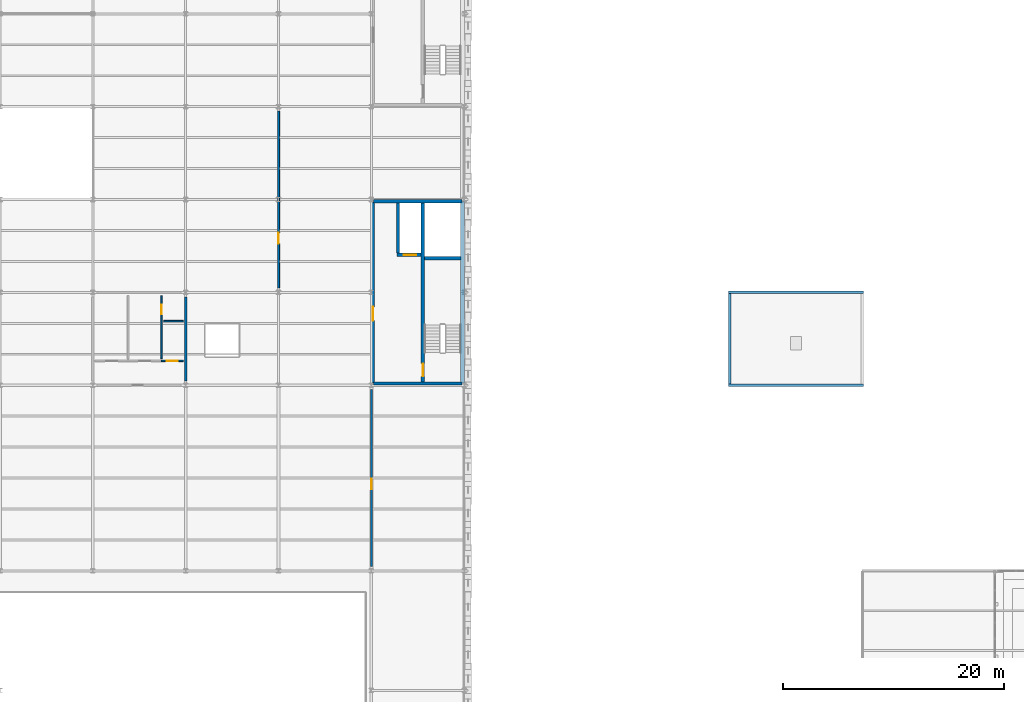
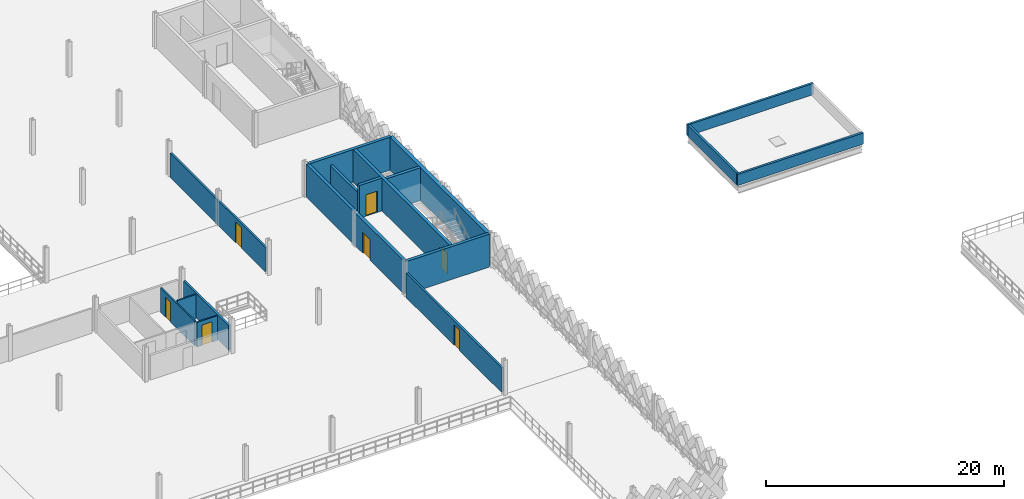
# One storey, part 50 of 62: 17 walls, 7 doors, 7 openings.
"""IFC4 building model written with IfcOpenShell, lengths in metres."""

from ifc_helpers import new_model, si_unit, direction, frame, frame_2d, origin, place, context, subcontext, project, spatial, rectangle, extrude, material, layer, layer_set, type_object, element, fill, save


model = new_model("IFC4")

# Units and contexts
model_context = context("Model", 3, precision=1e-05, world=origin(), true_north=direction((0.0, 1.0)))
body_context = subcontext(model_context, "Body", "Model", "MODEL_VIEW")
ifc_project = project(units=[si_unit("LENGTHUNIT", "METRE"), si_unit("AREAUNIT", "SQUARE_METRE"), si_unit("VOLUMEUNIT", "CUBIC_METRE"), si_unit("PLANEANGLEUNIT", "RADIAN"), si_unit("MASSUNIT", "GRAM", prefix="KILO"), si_unit("THERMODYNAMICTEMPERATUREUNIT", "KELVIN"), si_unit("POWERUNIT", "WATT")], contexts=[model_context])

# Site, building, storey
site_placement = place(None, origin())
site = spatial("IfcSite", under=ifc_project, at=site_placement, CompositionType="ELEMENT")
building_placement = place(site_placement, origin())
building = spatial("IfcBuilding", under=site, at=building_placement, Name="Tembeka Court Mobility Hub", CompositionType="ELEMENT")
storey_placement = place(building_placement, frame((0.0, 0.0, 16.199951171875)))
storey = spatial("IfcBuildingStorey", under=building, at=storey_placement, Name="L04", CompositionType="ELEMENT", Elevation=16.199951171875)

# Walls
ifc_material_1 = material(Name="Concrete C40/50", Category="concrete")
ifc_layer_1 = layer(ifc_material_1, 0.25)
ifc_layer_set_1 = layer_set([ifc_layer_1], Name="Concrete C40/50")
wall_type_1 = type_object("IfcWallType", Name="WL-IW01", PredefinedType="PARTITIONING", material=ifc_layer_set_1)
wall_1_placement = place(storey_placement, frame((86.39990234375, 50.35009765625, 0.0), z_axis=(0.0, 0.0, 1.0), x_axis=(0.0, 1.0, 0.0)))
element("IfcWall", 1, at=wall_1_placement, inside=storey, type_object=wall_type_1, Name="Wall IW01 (IW-L04-0232)", PredefinedType="PARTITIONING", context=body_context, shape_type="SweptSolid", body=[
    extrude(rectangle(XDim=4.5498046875, YDim=0.25, at=frame_2d((2.27490234375, 0.0))), origin(), (0.0, 0.0, 1.0), 2.525146484375),
])
ifc_material_2 = material(Name="Concrete blockwork masonry", Category="masonry")
ifc_layer_2 = layer(ifc_material_2, 0.199951171875)
ifc_layer_set_2 = layer_set([ifc_layer_2], Name="Concrete blockwork masonry")
wall_type_2 = type_object("IfcWallType", Name="WL-IW02", PredefinedType="PARTITIONING", material=ifc_layer_set_2)
wall_2_placement = place(storey_placement, frame((67.199951171875, 38.800048828125, 0.0), z_axis=(0.0, 0.0, 1.0), x_axis=(0.0, 1.0, 0.0)))
element("IfcWall", 2, at=wall_2_placement, inside=storey, type_object=wall_type_2, Name="Wall IW02 (IW-L04-0389)", PredefinedType="PARTITIONING", context=body_context, shape_type="SweptSolid", body=[
    extrude(rectangle(XDim=7.599853515625, YDim=0.199951171875, at=frame_2d((3.7998046875, 0.0))), origin(), (0.0, 0.0, 1.0), 2.525146484375),
])

# Wall, opening, door
wall_3_placement = place(storey_placement, frame((84.0, 22.0, 0.0), z_axis=(0.0, 0.0, 1.0), x_axis=(0.0, 1.0, 0.0)))
wall_3 = element("IfcWall", 3, at=wall_3_placement, inside=storey, type_object=wall_type_2, Name="Wall IW02 (IW-L04-0445)", PredefinedType="PARTITIONING", context=body_context, shape_type="SweptSolid", body=[
    extrude(rectangle(XDim=16.0, YDim=0.199951171875, at=frame_2d((8.0, 0.0))), origin(), (0.0, 0.0, 1.0), 2.525146484375),
])
opening_1_placement = place(wall_3_placement, frame((7.0, 0.0, 0.0)))
opening_1 = element("IfcOpeningElement", 4, at=opening_1_placement, cuts=wall_3, Name="Opening ID01", PredefinedType="OPENING", context=body_context, shape_type="SweptSolid", body=[
    extrude(rectangle(XDim=0.949951171875, YDim=2.10009765625, at=frame_2d((0.47509765625, 1.050048828125))), frame((0.0, 0.10986328125, 0.0), z_axis=(0.0, -1.0, 0.0), x_axis=(1.0, 0.0, 0.0)), (0.0, 0.0, 1.0), 0.219970703125),
])
ifc_material_3 = material(Name="Powder-coated aluminium glazed doorset", Category="aluminium")
door_type_1 = type_object("IfcDoorType", Name="DR-ID01", OperationType="NOTDEFINED", PredefinedType="DOOR", material=ifc_material_3)
door_1_placement = place(opening_1_placement, origin())
door_1 = element("IfcDoor", 5, at=door_1_placement, inside=storey, type_object=door_type_1, Name="Door ID01-0218", OperationType="SINGLE_SWING_LEFT", OverallHeight=2.10009765625, OverallWidth=0.949951171875, PredefinedType="DOOR", context=body_context, shape_type="SweptSolid", body=[
    extrude(rectangle(XDim=0.949951171875, YDim=2.10009765625, at=frame_2d((0.47509765625, 1.050048828125))), frame((0.0, 0.02490234375, 0.0), z_axis=(0.0, -1.0, 0.0), x_axis=(1.0, 0.0, 0.0)), (0.0, 0.0, 1.0), 0.050048828125),
])
fill(opening_1, door_1)

ifc_layer_3 = layer(ifc_material_2, 0.179931640625)
ifc_layer_set_3 = layer_set([ifc_layer_3], Name="Concrete blockwork masonry")
wall_type_3 = type_object("IfcWallType", Name="WL-IW03", PredefinedType="PARTITIONING", material=ifc_layer_set_3)
wall_4_placement = place(storey_placement, frame((75.60009765625, 47.199951171875, 0.0), z_axis=(0.0, 0.0, 1.0), x_axis=(0.0, 1.0, 0.0)))
wall_4 = element("IfcWall", 6, at=wall_4_placement, inside=storey, type_object=wall_type_3, Name="Wall IW03 (IW-L04-0447)", PredefinedType="PARTITIONING", context=body_context, shape_type="SweptSolid", body=[
    extrude(rectangle(XDim=16.0, YDim=0.179931640625, at=frame_2d((8.0, 0.0))), origin(), (0.0, 0.0, 1.0), 2.525146484375),
])
opening_2_placement = place(wall_4_placement, frame((4.0, 0.0, 0.0)))
opening_2 = element("IfcOpeningElement", 7, at=opening_2_placement, cuts=wall_4, Name="Opening FD05", PredefinedType="OPENING", context=body_context, shape_type="SweptSolid", body=[
    extrude(rectangle(XDim=1.0, YDim=2.14990234375, at=frame_2d((0.5, 1.074951171875))), frame((0.0, 0.10009765625, 0.0), z_axis=(0.0, -1.0, 0.0), x_axis=(1.0, 0.0, 0.0)), (0.0, 0.0, 1.0), 0.199951171875),
])
ifc_material_4 = material(Name="Galvanised steel fire/shutter doorset", Category="steel")
door_type_2 = type_object("IfcDoorType", Name="DR-FD05", OperationType="NOTDEFINED", PredefinedType="DOOR", material=ifc_material_4)
door_2_placement = place(opening_2_placement, origin())
door_2 = element("IfcDoor", 8, at=door_2_placement, inside=storey, type_object=door_type_2, Name="Door FD05-0220", OperationType="SINGLE_SWING_LEFT", OverallHeight=2.14990234375, OverallWidth=1.0, PredefinedType="DOOR", context=body_context, shape_type="SweptSolid", body=[
    extrude(rectangle(XDim=1.0, YDim=2.14990234375, at=frame_2d((0.5, 1.074951171875))), frame((0.0, 0.02490234375, 0.0), z_axis=(0.0, -1.0, 0.0), x_axis=(1.0, 0.0, 0.0)), (0.0, 0.0, 1.0), 0.050048828125),
])
fill(opening_2, door_2)

ifc_material_5 = material(Name="Moisture-resistant gypsum partition", Category="masonry")
ifc_layer_4 = layer(ifc_material_5, 0.139892578125)
ifc_layer_set_4 = layer_set([ifc_layer_4], Name="Moisture-resistant gypsum partition")
wall_type_4 = type_object("IfcWallType", Name="WL-IW05", PredefinedType="PARTITIONING", material=ifc_layer_set_4)
wall_5_placement = place(storey_placement, frame((65.0, 40.60009765625, 0.0), z_axis=(0.0, 0.0, 1.0), x_axis=(1.0, 0.0, 0.0)))
wall_5 = element("IfcWall", 9, at=wall_5_placement, inside=storey, type_object=wall_type_4, Name="Wall IW05 (IW-L04-0392)", PredefinedType="PARTITIONING", context=body_context, shape_type="SweptSolid", body=[
    extrude(rectangle(XDim=2.0, YDim=0.139892578125, at=frame_2d((1.0, 0.0))), origin(), (0.0, 0.0, 1.0), 2.525146484375),
])
opening_3_placement = place(wall_5_placement, frame((0.5, 0.0, 0.0)))
opening_3 = element("IfcOpeningElement", 10, at=opening_3_placement, cuts=wall_5, Name="Opening ID02", PredefinedType="OPENING", context=body_context, shape_type="SweptSolid", body=[
    extrude(rectangle(XDim=1.0, YDim=2.10009765625, at=frame_2d((0.5, 1.050048828125))), frame((0.0, 0.080078125, 0.0), z_axis=(0.0, -1.0, 0.0), x_axis=(1.0, 0.0, 0.0)), (0.0, 0.0, 1.0), 0.159912109375),
])
door_type_3 = type_object("IfcDoorType", Name="DR-ID02", OperationType="NOTDEFINED", PredefinedType="DOOR", material=ifc_material_3)
door_3_placement = place(opening_3_placement, origin())
door_3 = element("IfcDoor", 11, at=door_3_placement, inside=storey, type_object=door_type_3, Name="L04 accessible unisex WC door", OperationType="SINGLE_SWING_LEFT", OverallHeight=2.10009765625, OverallWidth=1.0, PredefinedType="DOOR", context=body_context, shape_type="SweptSolid", body=[
    extrude(rectangle(XDim=1.0, YDim=2.10009765625, at=frame_2d((0.5, 1.050048828125))), frame((0.0, 0.02490234375, 0.0), z_axis=(0.0, -1.0, 0.0), x_axis=(1.0, 0.0, 0.0)), (0.0, 0.0, 1.0), 0.050048828125),
])
fill(opening_3, door_3)

wall_6_placement = place(storey_placement, frame((65.0, 40.800048828125, 0.0), z_axis=(0.0, 0.0, 1.0), x_axis=(0.0, 1.0, 0.0)))
wall_6 = element("IfcWall", 12, at=wall_6_placement, inside=storey, type_object=wall_type_4, Name="Wall IW05 (IW-L04-0394)", PredefinedType="PARTITIONING", context=body_context, shape_type="SweptSolid", body=[
    extrude(rectangle(XDim=5.699951171875, YDim=0.139892578125, at=frame_2d((2.85009765625, 0.0))), origin(), (0.0, 0.0, 1.0), 2.525146484375),
])
opening_4_placement = place(wall_6_placement, frame((4.0, 0.0, 0.0)))
opening_4 = element("IfcOpeningElement", 13, at=opening_4_placement, cuts=wall_6, Name="Opening ID08", PredefinedType="OPENING", context=body_context, shape_type="SweptSolid", body=[
    extrude(rectangle(XDim=0.89990234375, YDim=2.050048828125, at=frame_2d((0.449951171875, 1.02490234375))), frame((0.0, 0.080078125, 0.0), z_axis=(0.0, -1.0, 0.0), x_axis=(1.0, 0.0, 0.0)), (0.0, 0.0, 1.0), 0.159912109375),
])
door_type_4 = type_object("IfcDoorType", Name="DR-ID08", OperationType="NOTDEFINED", PredefinedType="DOOR", material=ifc_material_3)
door_4_placement = place(opening_4_placement, origin())
door_4 = element("IfcDoor", 14, at=door_4_placement, inside=storey, type_object=door_type_4, Name="L04 cleaner cupboard door", OperationType="SINGLE_SWING_RIGHT", OverallHeight=2.050048828125, OverallWidth=0.89990234375, PredefinedType="DOOR", context=body_context, shape_type="SweptSolid", body=[
    extrude(rectangle(XDim=0.89990234375, YDim=2.050048828125, at=frame_2d((0.449951171875, 1.02490234375))), frame((0.0, 0.02490234375, 0.0), z_axis=(0.0, -1.0, 0.0), x_axis=(1.0, 0.0, 0.0)), (0.0, 0.0, 1.0), 0.050048828125),
])
fill(opening_4, door_4)

# Walls
wall_7_placement = place(storey_placement, frame((65.199951171875, 44.199951171875, 0.0), z_axis=(0.0, 0.0, 1.0), x_axis=(1.0, 0.0, 0.0)))
element("IfcWall", 15, at=wall_7_placement, inside=storey, type_object=wall_type_4, Name="Wall IW05 (IW-L04-0395)", PredefinedType="PARTITIONING", context=body_context, shape_type="SweptSolid", body=[
    extrude(rectangle(XDim=1.800048828125, YDim=0.139892578125, at=frame_2d((0.89990234375, 0.0))), origin(), (0.0, 0.0, 1.0), 2.525146484375),
])
ifc_material_6 = material(Name="Precast concrete C45/55", Category="concrete")
ifc_layer_5 = layer(ifc_material_6, 0.219970703125)
ifc_layer_set_5 = layer_set([ifc_layer_5], Name="Precast concrete C45/55")
wall_type_5 = type_object("IfcWallType", Name="WL-PP01", PredefinedType="PARAPET", material=ifc_layer_set_5)
for number, where, z_axis, x_axis, name in (
    (16, (116.2900390625, 38.39990234375, 0.0), (0.0, 0.0, 1.0), (1.0, 0.0, 0.0), "Roof parapet wall PP01-01"),
    (17, (128.510009765625, 46.800048828125, 0.0), (0.0, 0.0, 1.0), (-1.0, 0.0, 0.0), "Roof parapet wall PP01-03"),
):
    element("IfcWall", number, at=place(storey_placement, frame(where, z_axis=z_axis, x_axis=x_axis)), inside=storey, type_object=wall_type_5, Name=name, PredefinedType="PARAPET", context=body_context, shape_type="SweptSolid", body=[
        extrude(rectangle(XDim=12.219970703125, YDim=0.219970703125, at=frame_2d((6.10986328125, 0.0))), origin(), (0.0, 0.0, 1.0), 1.150146484375),
    ])
wall_8_placement = place(storey_placement, frame((116.39990234375, 46.68505859375, 0.0), z_axis=(0.0, 0.0, 1.0), x_axis=(0.0, -1.0, 0.0)))
element("IfcWall", 18, at=wall_8_placement, inside=storey, type_object=wall_type_5, Name="Roof parapet wall PP01-04", PredefinedType="PARAPET", context=body_context, shape_type="SweptSolid", body=[
    extrude(rectangle(XDim=8.170166015625, YDim=0.219970703125, at=frame_2d((4.0849609375, 0.0))), origin(), (0.0, 0.0, 1.0), 1.150146484375),
])
ifc_layer_6 = layer(ifc_material_1, 0.300048828125)
ifc_layer_set_6 = layer_set([ifc_layer_6], Name="Concrete C40/50")
wall_type_6 = type_object("IfcWallType", Name="WL-SW01", PredefinedType="SHEAR", material=ifc_layer_set_6)
for number, where, z_axis, x_axis, name in (
    (19, (84.1845703125, 38.550048828125, 0.0), (0.0, 0.0, 1.0), (1.0, 0.0, 0.0), "Wall SW01 (IW-L04-0225)"),
    (20, (84.1845703125, 55.050048828125, 0.0), (0.0, 0.0, 1.0), (1.0, 0.0, 0.0), "Wall SW01 (IW-L04-0226)"),
):
    element("IfcWall", number, at=place(storey_placement, frame(where, z_axis=z_axis, x_axis=x_axis)), inside=storey, type_object=wall_type_6, Name=name, PredefinedType="SHEAR", context=body_context, shape_type="SweptSolid", body=[
        extrude(rectangle(XDim=8.031005859375, YDim=0.300048828125, at=frame_2d((4.015625, 0.0))), origin(), (0.0, 0.0, 1.0), 3.380126953125),
    ])
wall_9_placement = place(storey_placement, frame((88.800048828125, 49.89990234375, 0.0), z_axis=(0.0, 0.0, 1.0), x_axis=(1.0, 0.0, 0.0)))
element("IfcWall", 21, at=wall_9_placement, inside=storey, type_object=wall_type_6, Name="Wall SW01 (IW-L04-0227)", PredefinedType="SHEAR", context=body_context, shape_type="SweptSolid", body=[
    extrude(rectangle(XDim=3.300048828125, YDim=0.300048828125, at=frame_2d((1.64990234375, 0.0))), origin(), (0.0, 0.0, 1.0), 3.380126953125),
])

# Wall, opening, door
wall_10_placement = place(storey_placement, frame((84.14990234375, 38.58203125, 0.0), z_axis=(0.0, 0.0, 1.0), x_axis=(0.0, 1.0, 0.0)))
wall_10 = element("IfcWall", 22, at=wall_10_placement, inside=storey, type_object=wall_type_6, Name="Wall SW01 (IW-L04-0229)", PredefinedType="SHEAR", context=body_context, shape_type="SweptSolid", body=[
    extrude(rectangle(XDim=16.43603515625, YDim=0.300048828125, at=frame_2d((8.218017578125, 0.0))), origin(), (0.0, 0.0, 1.0), 3.380126953125),
])
opening_5_placement = place(wall_10_placement, frame((5.66796875, 0.0, 0.0)))
opening_5 = element("IfcOpeningElement", 23, at=opening_5_placement, cuts=wall_10, Name="Opening FD01", PredefinedType="OPENING", context=body_context, shape_type="SweptSolid", body=[
    extrude(rectangle(XDim=1.25, YDim=2.14990234375, at=frame_2d((0.625, 1.074951171875))), frame((0.0, 0.16015625, 0.0), z_axis=(0.0, -1.0, 0.0), x_axis=(1.0, 0.0, 0.0)), (0.0, 0.0, 1.0), 0.320068359375),
])
door_type_5 = type_object("IfcDoorType", Name="DR-FD01", OperationType="NOTDEFINED", PredefinedType="DOOR", material=ifc_material_4)
door_5_placement = place(opening_5_placement, origin())
door_5 = element("IfcDoor", 24, at=door_5_placement, inside=storey, type_object=door_type_5, Name="Door FD01-0105", OperationType="SINGLE_SWING_RIGHT", OverallHeight=2.14990234375, OverallWidth=1.25, PredefinedType="DOOR", context=body_context, shape_type="SweptSolid", body=[
    extrude(rectangle(XDim=1.25, YDim=2.14990234375, at=frame_2d((0.625, 1.074951171875))), frame((0.0, 0.02490234375, 0.0), z_axis=(0.0, -1.0, 0.0), x_axis=(1.0, 0.0, 0.0)), (0.0, 0.0, 1.0), 0.050048828125),
])
fill(opening_5, door_5)

wall_11_placement = place(storey_placement, frame((88.64990234375, 38.699951171875, 0.0), z_axis=(0.0, 0.0, 1.0), x_axis=(0.0, 1.0, 0.0)))
wall_11 = element("IfcWall", 25, at=wall_11_placement, inside=storey, type_object=wall_type_6, Name="Wall SW01 (IW-L04-0230)", PredefinedType="SHEAR", context=body_context, shape_type="SweptSolid", body=[
    extrude(rectangle(XDim=16.199951171875, YDim=0.300048828125, at=frame_2d((8.10009765625, 0.0))), origin(), (0.0, 0.0, 1.0), 3.380126953125),
])
opening_6_placement = place(wall_11_placement, frame((0.5, 0.0, 0.0)))
opening_6 = element("IfcOpeningElement", 26, at=opening_6_placement, cuts=wall_11, Name="Opening FD03", PredefinedType="OPENING", context=body_context, shape_type="SweptSolid", body=[
    extrude(rectangle(XDim=1.14990234375, YDim=2.14990234375, at=frame_2d((0.574951171875, 1.074951171875))), frame((0.0, 0.16015625, 0.0), z_axis=(0.0, -1.0, 0.0), x_axis=(1.0, 0.0, 0.0)), (0.0, 0.0, 1.0), 0.320068359375),
])
door_type_6 = type_object("IfcDoorType", Name="DR-FD03", OperationType="NOTDEFINED", PredefinedType="DOOR", material=ifc_material_4)
door_6_placement = place(opening_6_placement, origin())
door_6 = element("IfcDoor", 27, at=door_6_placement, inside=storey, type_object=door_type_6, Name="Door FD03-0106", OperationType="SINGLE_SWING_RIGHT", OverallHeight=2.14990234375, OverallWidth=1.14990234375, PredefinedType="DOOR", context=body_context, shape_type="SweptSolid", body=[
    extrude(rectangle(XDim=1.14990234375, YDim=2.14990234375, at=frame_2d((0.574951171875, 1.074951171875))), frame((0.0, 0.02490234375, 0.0), z_axis=(0.0, -1.0, 0.0), x_axis=(1.0, 0.0, 0.0)), (0.0, 0.0, 1.0), 0.050048828125),
])
fill(opening_6, door_6)

wall_12_placement = place(storey_placement, frame((86.300048828125, 50.199951171875, 0.0), z_axis=(0.0, 0.0, 1.0), x_axis=(1.0, 0.0, 0.0)))
wall_12 = element("IfcWall", 28, at=wall_12_placement, inside=storey, type_object=wall_type_6, Name="Wall SW01 (IW-L04-0231)", PredefinedType="SHEAR", context=body_context, shape_type="SweptSolid", body=[
    extrude(rectangle(XDim=2.199951171875, YDim=0.300048828125, at=frame_2d((1.10009765625, 0.0))), origin(), (0.0, 0.0, 1.0), 3.380126953125),
])
opening_7_placement = place(wall_12_placement, frame((0.64990234375, 0.0, 0.0)))
opening_7 = element("IfcOpeningElement", 29, at=opening_7_placement, cuts=wall_12, Name="Opening LD01", PredefinedType="OPENING", context=body_context, shape_type="SweptSolid", body=[
    extrude(rectangle(XDim=1.10009765625, YDim=2.199951171875, at=frame_2d((0.550048828125, 1.10009765625))), frame((0.0, 0.16015625, 0.0), z_axis=(0.0, -1.0, 0.0), x_axis=(1.0, 0.0, 0.0)), (0.0, 0.0, 1.0), 0.320068359375),
])
door_type_7 = type_object("IfcDoorType", Name="DR-LD01", OperationType="SLIDING_TO_LEFT", PredefinedType="DOOR", material=ifc_material_4)
door_7_placement = place(opening_7_placement, origin())
door_7 = element("IfcDoor", 30, at=door_7_placement, inside=storey, type_object=door_type_7, Name="Lift LF06 landing door L04", OperationType="SLIDING_TO_LEFT", OverallHeight=2.199951171875, OverallWidth=1.10009765625, PredefinedType="DOOR", context=body_context, shape_type="SweptSolid", body=[
    extrude(rectangle(XDim=1.10009765625, YDim=2.199951171875, at=frame_2d((0.550048828125, 1.10009765625))), frame((0.0, 0.02490234375, 0.0), z_axis=(0.0, -1.0, 0.0), x_axis=(1.0, 0.0, 0.0)), (0.0, 0.0, 1.0), 0.050048828125),
])
fill(opening_7, door_7)

# Wall
ifc_layer_7 = layer(ifc_material_1, 0.35009765625)
ifc_layer_set_7 = layer_set([ifc_layer_7], Name="Concrete C40/50")
wall_type_7 = type_object("IfcWallType", Name="WL-SW02", PredefinedType="SHEAR", material=ifc_layer_set_7)
wall_13_placement = place(storey_placement, frame((92.25, 38.58203125, 0.0), z_axis=(0.0, 0.0, 1.0), x_axis=(0.0, 1.0, 0.0)))
element("IfcWall", 31, at=wall_13_placement, inside=storey, type_object=wall_type_7, Name="Wall SW02 (IW-L04-0228)", PredefinedType="SHEAR", context=body_context, shape_type="SweptSolid", body=[
    extrude(rectangle(XDim=16.43603515625, YDim=0.35009765625, at=frame_2d((8.218017578125, 0.0))), origin(), (0.0, 0.0, 1.0), 3.380126953125),
])

save(model, "model.ifc")
